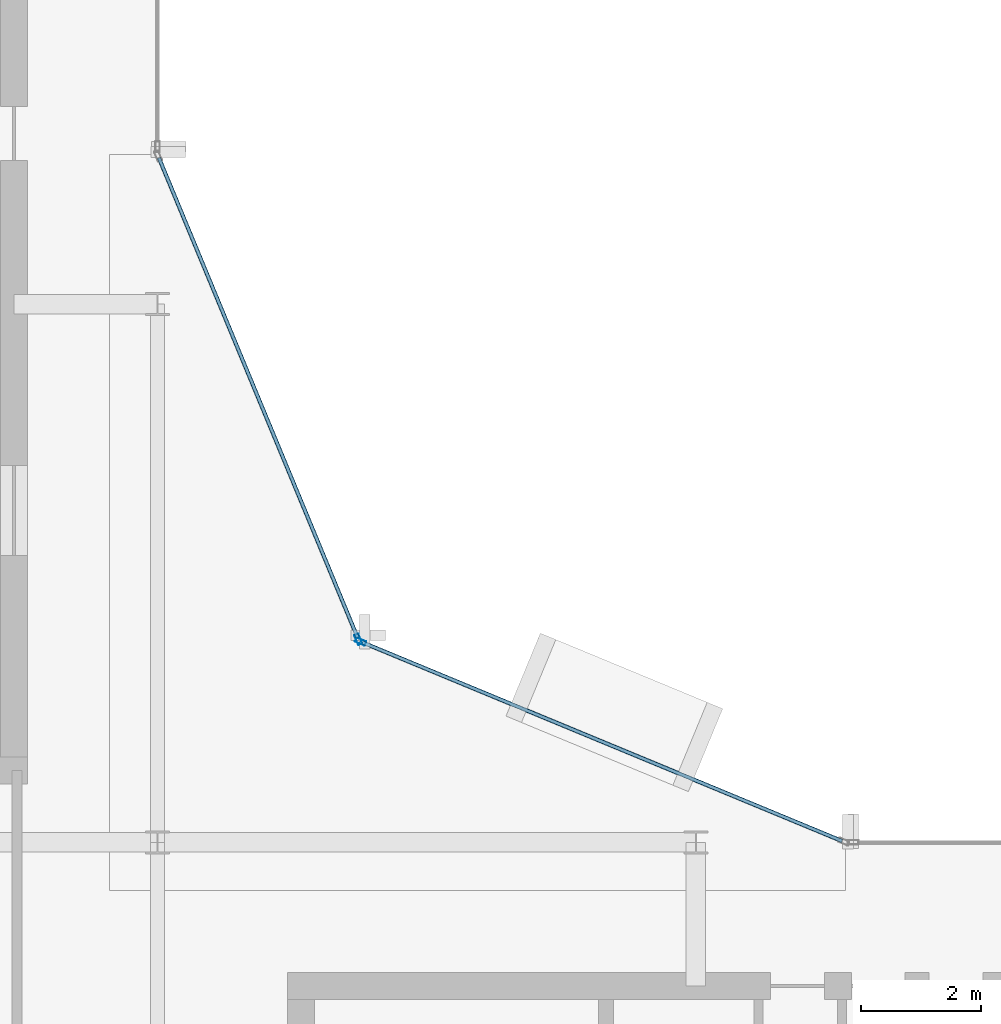
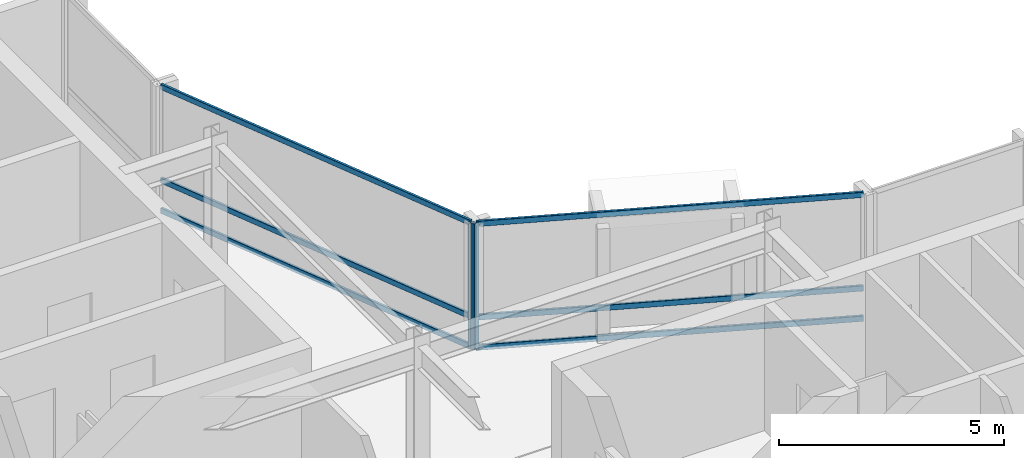
# One storey, part 8 of 19: 8 members, 2 elements without a shape of their own.
"""IFC4 building model written with IfcOpenShell, lengths in metres."""

from ifc_helpers import new_model, si_unit, direction, frame, origin, origin_2d, place, context, subcontext, project, spatial, hollow_rectangle, extrude, material, layer, layer_set, material_profile, profile_set, type_object, element, aggregate, save


model = new_model("IFC4")

# Units and contexts
model_context = context("Model", 3, precision=1e-05, world=origin(), true_north=direction((0.0, 1.0)))
body_context = subcontext(model_context, "Body", "Model", "MODEL_VIEW")
ifc_project = project(units=[si_unit("LENGTHUNIT", "METRE"), si_unit("AREAUNIT", "SQUARE_METRE"), si_unit("VOLUMEUNIT", "CUBIC_METRE"), si_unit("PLANEANGLEUNIT", "RADIAN"), si_unit("MASSUNIT", "GRAM", prefix="KILO")], contexts=[model_context])

# Site, building, storey
site_placement = place(None, origin())
site = spatial("IfcSite", under=ifc_project, at=site_placement, CompositionType="ELEMENT")
building_placement = place(site_placement, origin())
building = spatial("IfcBuilding", under=site, at=building_placement, Name="Solvaryn Broadcast Tower", CompositionType="ELEMENT")
storey_placement = place(building_placement, frame((0.0, 0.0, 240.800048828125)))
storey = spatial("IfcBuildingStorey", under=building, at=storey_placement, Name="L60", CompositionType="ELEMENT", Elevation=240.800048828125)

# Curtain wall, member
ifc_material_1 = material(Name="Aluminium and Terracotta Unitised Curtain Wall", Category="masonry")
ifc_layer = layer(ifc_material_1, 0.199951171875)
ifc_layer_set = layer_set([ifc_layer], Name="CW-SYS2-LOWMID")
curtain_wall_type = type_object("IfcCurtainWallType", Name="CW-SYS2-LOWMID", PredefinedType="NOTDEFINED", material=ifc_layer_set)
curtain_wall_1_placement = place(storey_placement, origin())
curtain_wall_1 = element("IfcCurtainWall", 1, at=curtain_wall_1_placement, inside=storey, type_object=curtain_wall_type, Name="L60 Curtain Wall CN1", PredefinedType="NOTDEFINED")
ifc_material_2 = material(Name="Anodised Aluminium 6063-T6", Category="aluminium")
ifc_material_profile_1 = material_profile(ifc_material_2, hollow_rectangle(XDim=0.074951171875, YDim=0.179931640625, WallThickness=0.00390625, InnerFilletRadius=0.00390625, OuterFilletRadius=0.008056640625, at=origin_2d()))
ifc_profile_set_1 = profile_set([ifc_material_profile_1], Name="Anodised Aluminium 6063-T6")
member_type_1 = type_object("IfcMemberType", Name="CW-MUL-180", PredefinedType="MULLION", material=ifc_profile_set_1)
member_1_placement = place(storey_placement, frame((30.395751953125, 30.3564453125, 0.0), z_axis=(0.0, 0.0, 1.0), x_axis=(-0.382646127145, -0.923894983957, 0.0)))
member_1 = element("IfcMember", 2, at=member_1_placement, type_object=member_type_1, Name="CWS2 mullion 2", PredefinedType="MULLION", context=body_context, shape_type="SweptSolid", body=[
    extrude(hollow_rectangle(XDim=0.074951171875, YDim=0.179931640625, WallThickness=0.00390625, InnerFilletRadius=0.00390625, OuterFilletRadius=0.008056640625, at=origin_2d()), origin(), (0.0, 0.0, 1.0), 3.419921875),
])

curtain_wall_2_placement = place(storey_placement, origin())
curtain_wall_2 = element("IfcCurtainWall", 3, at=curtain_wall_2_placement, inside=storey, type_object=curtain_wall_type, Name="L60 Curtain Wall CN2", PredefinedType="NOTDEFINED")
member_2_placement = place(storey_placement, frame((30.3564453125, 30.395751953125, 0.0), z_axis=(0.0, 0.0, 1.0), x_axis=(-0.923894983957, -0.382646127145, 0.0)))
member_2 = element("IfcMember", 4, at=member_2_placement, type_object=member_type_1, Name="CWS2 mullion 1", PredefinedType="MULLION", context=body_context, shape_type="SweptSolid", body=[
    extrude(hollow_rectangle(XDim=0.074951171875, YDim=0.179931640625, WallThickness=0.00390625, InnerFilletRadius=0.00390625, OuterFilletRadius=0.008056640625, at=origin_2d()), origin(), (0.0, 0.0, 1.0), 3.419921875),
])

# Member
ifc_material_3 = material(Name="Anodised Aluminium 6063-T6", Category="aluminium")
ifc_material_profile_2 = material_profile(ifc_material_3, hollow_rectangle(XDim=0.06494140625, YDim=0.14990234375, WallThickness=0.00390625, InnerFilletRadius=0.00390625, OuterFilletRadius=0.008056640625, at=origin_2d()))
ifc_profile_set_2 = profile_set([ifc_material_profile_2], Name="Anodised Aluminium 6063-T6")
member_type_2 = type_object("IfcMemberType", Name="CW-TRN-150", PredefinedType="USERDEFINED", material=ifc_profile_set_2)
member_3_placement = place(storey_placement, frame((38.444580078125, 27.02294921875, 0.030029296875), z_axis=(-0.923899282177, 0.382635748975, 0.0), x_axis=(-0.382635748975, -0.923899282177, 0.0)))
member_3 = element("IfcMember", 5, at=member_3_placement, type_object=member_type_2, Name="CWS2 transom 1.1", ObjectType="TRANSOM", PredefinedType="USERDEFINED", context=body_context, shape_type="SweptSolid", body=[
    extrude(hollow_rectangle(XDim=0.06494140625, YDim=0.14990234375, WallThickness=0.00390625, InnerFilletRadius=0.00390625, OuterFilletRadius=0.008056640625, at=origin_2d()), origin(), (0.0, 0.0, 1.0), 8.681884765625),
])

member_4_placement = place(storey_placement, frame((38.444580078125, 27.02294921875, 0.849853515625), z_axis=(-0.923899282177, 0.382635748975, 0.0), x_axis=(-0.382635748975, -0.923899282177, 0.0)))
member_4 = element("IfcMember", 6, at=member_4_placement, type_object=member_type_2, Name="CWS2 transom 1.2", ObjectType="TRANSOM", PredefinedType="USERDEFINED", context=body_context, shape_type="SweptSolid", body=[
    extrude(hollow_rectangle(XDim=0.06494140625, YDim=0.14990234375, WallThickness=0.00390625, InnerFilletRadius=0.00390625, OuterFilletRadius=0.008056640625, at=origin_2d()), origin(), (0.0, 0.0, 1.0), 8.681884765625),
])

member_5_placement = place(storey_placement, frame((38.444580078125, 27.02294921875, 3.389892578125), z_axis=(-0.923899282177, 0.382635748975, 0.0), x_axis=(-0.382635748975, -0.923899282177, 0.0)))
member_5 = element("IfcMember", 7, at=member_5_placement, type_object=member_type_2, Name="CWS2 transom 1.3", ObjectType="TRANSOM", PredefinedType="USERDEFINED", context=body_context, shape_type="SweptSolid", body=[
    extrude(hollow_rectangle(XDim=0.06494140625, YDim=0.14990234375, WallThickness=0.00390625, InnerFilletRadius=0.00390625, OuterFilletRadius=0.008056640625, at=origin_2d()), origin(), (0.0, 0.0, 1.0), 8.681884765625),
])

aggregate(curtain_wall_1, [member_1, member_3, member_4, member_5])

member_6_placement = place(storey_placement, frame((30.344970703125, 30.42333984375, 0.030029296875), z_axis=(-0.382635748975, 0.923899282177, 0.0), x_axis=(-0.923899282177, -0.382635748975, 0.0)))
member_6 = element("IfcMember", 8, at=member_6_placement, type_object=member_type_2, Name="CWS2 transom 1.1", ObjectType="TRANSOM", PredefinedType="USERDEFINED", context=body_context, shape_type="SweptSolid", body=[
    extrude(hollow_rectangle(XDim=0.06494140625, YDim=0.14990234375, WallThickness=0.00390625, InnerFilletRadius=0.00390625, OuterFilletRadius=0.008056640625, at=origin_2d()), origin(), (0.0, 0.0, 1.0), 8.681884765625),
])

member_7_placement = place(storey_placement, frame((30.344970703125, 30.42333984375, 0.849853515625), z_axis=(-0.382635748975, 0.923899282177, 0.0), x_axis=(-0.923899282177, -0.382635748975, 0.0)))
member_7 = element("IfcMember", 9, at=member_7_placement, type_object=member_type_2, Name="CWS2 transom 1.2", ObjectType="TRANSOM", PredefinedType="USERDEFINED", context=body_context, shape_type="SweptSolid", body=[
    extrude(hollow_rectangle(XDim=0.06494140625, YDim=0.14990234375, WallThickness=0.00390625, InnerFilletRadius=0.00390625, OuterFilletRadius=0.008056640625, at=origin_2d()), origin(), (0.0, 0.0, 1.0), 8.681884765625),
])

member_8_placement = place(storey_placement, frame((30.344970703125, 30.42333984375, 3.389892578125), z_axis=(-0.382635748975, 0.923899282177, 0.0), x_axis=(-0.923899282177, -0.382635748975, 0.0)))
member_8 = element("IfcMember", 10, at=member_8_placement, type_object=member_type_2, Name="CWS2 transom 1.3", ObjectType="TRANSOM", PredefinedType="USERDEFINED", context=body_context, shape_type="SweptSolid", body=[
    extrude(hollow_rectangle(XDim=0.06494140625, YDim=0.14990234375, WallThickness=0.00390625, InnerFilletRadius=0.00390625, OuterFilletRadius=0.008056640625, at=origin_2d()), origin(), (0.0, 0.0, 1.0), 8.681884765625),
])

aggregate(curtain_wall_2, [member_2, member_6, member_7, member_8])

save(model, "model.ifc")
